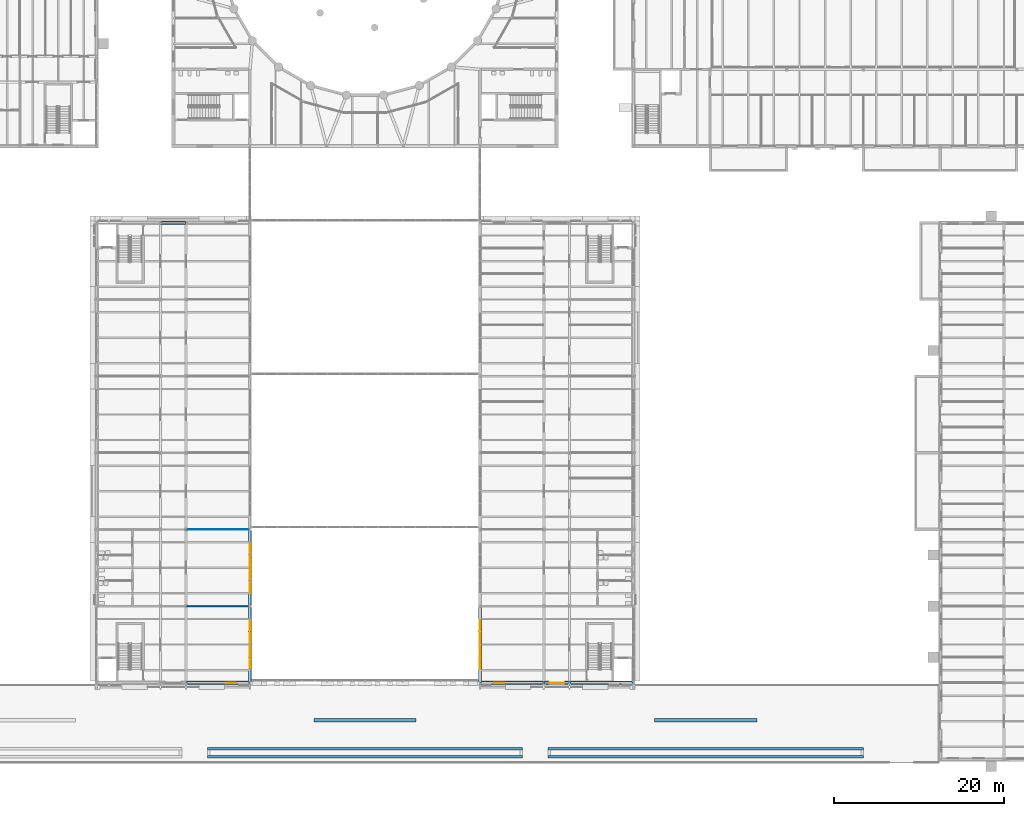
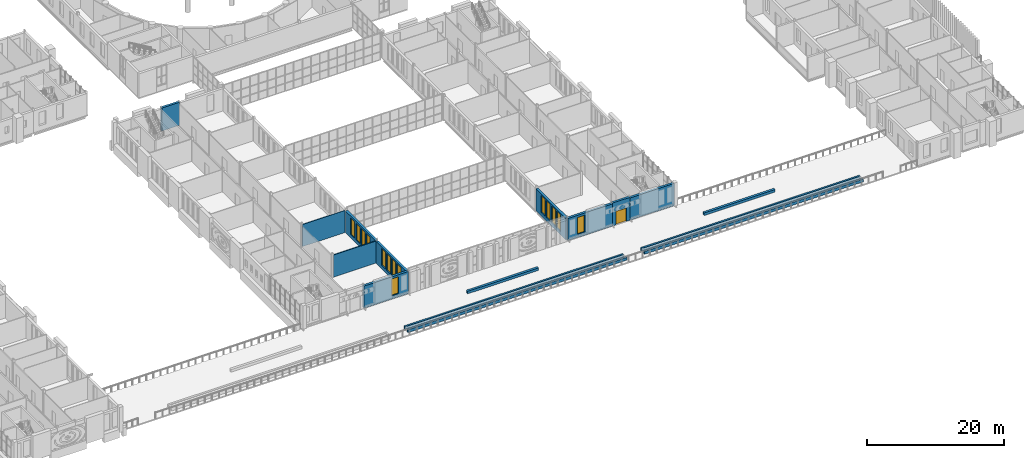
# One storey, part 74 of 134: 16 walls, 14 windows, 1 door, 15 openings.
"""IFC4 building model written with IfcOpenShell, lengths in metres."""

from ifc_helpers import new_model, si_unit, direction, frame, frame_2d, origin, place, context, subcontext, project, spatial, rectangle, extrude, material, layer, layer_set, type_object, element, fill, save


model = new_model("IFC4")

# Units and contexts
model_context = context("Model", 3, precision=1e-05, world=origin(), true_north=direction((0.0, 1.0)))
body_context = subcontext(model_context, "Body", "Model", "MODEL_VIEW")
ifc_project = project(units=[si_unit("LENGTHUNIT", "METRE"), si_unit("AREAUNIT", "SQUARE_METRE"), si_unit("VOLUMEUNIT", "CUBIC_METRE"), si_unit("PLANEANGLEUNIT", "RADIAN"), si_unit("MASSUNIT", "GRAM", prefix="KILO")], contexts=[model_context])

# Site, building, storey
site_placement = place(None, origin())
site = spatial("IfcSite", under=ifc_project, at=site_placement, CompositionType="ELEMENT")
building_placement = place(site_placement, origin())
building = spatial("IfcBuilding", under=site, at=building_placement, Name="Golden Quay Civic Hall", CompositionType="ELEMENT")
storey_placement = place(building_placement, frame((0.0, 0.0, 5.39990234375)))
storey = spatial("IfcBuildingStorey", under=building, at=storey_placement, Name="L01", CompositionType="ELEMENT", Elevation=5.39990234375)

# Walls
ifc_material_1 = material(Name="Brick, dark clay facing", Category="masonry")
ifc_layer_1 = layer(ifc_material_1, 0.300048828125)
ifc_layer_set_1 = layer_set([ifc_layer_1], Name="Brick planter wall 300")
wall_type_1 = type_object("IfcWallType", Name="Brick planter wall 300", PredefinedType="STANDARD", material=ifc_layer_set_1)
for number, where, z_axis, x_axis, name in (
    (1, (67.0, -8.64990234375, 0.0), (0.0, 0.0, 1.0), (1.0, 0.0, 0.0), "Terrace planter 2"),
    (2, (67.0, -7.75, 0.0), (0.0, 0.0, 1.0), (1.0, 0.0, 0.0), "Terrace planter 2"),
    (3, (107.0, -8.64990234375, 0.0), (0.0, 0.0, 1.0), (1.0, 0.0, 0.0), "Terrace planter 3"),
    (4, (107.0, -7.75, 0.0), (0.0, 0.0, 1.0), (1.0, 0.0, 0.0), "Terrace planter 3"),
):
    element("IfcWall", number, at=place(storey_placement, frame(where, z_axis=z_axis, x_axis=x_axis)), inside=storey, type_object=wall_type_1, Name=name, PredefinedType="STANDARD", context=body_context, shape_type="SweptSolid", body=[
        extrude(rectangle(XDim=37.0, YDim=0.300048828125, at=frame_2d((18.5, 0.0))), origin(), (0.0, 0.0, 1.0), 0.5),
    ])
ifc_material_2 = material(Name="Plasterboard on steel studs", Category="steel")
ifc_layer_2 = layer(ifc_material_2, 0.10009765625)
ifc_layer_set_2 = layer_set([ifc_layer_2], Name="Partition 100 stud")
wall_type_2 = type_object("IfcWallType", Name="Partition 100 stud", PredefinedType="PARTITIONING", material=ifc_layer_set_2)
wall_1_placement = place(storey_placement, frame((64.574951171875, 18.0, 0.0), z_axis=(0.0, 0.0, 1.0), x_axis=(1.0, 0.0, 0.0)))
element("IfcWall", 5, at=wall_1_placement, inside=storey, type_object=wall_type_2, Name="Partition L01-005", PredefinedType="PARTITIONING", context=body_context, shape_type="SweptSolid", body=[
    extrude(rectangle(XDim=7.22509765625, YDim=0.10009765625, at=frame_2d((3.612548828125, 0.0))), origin(), (0.0, 0.0, 1.0), 3.9501953125),
])
ifc_material_3 = material(Name="Plasterboard on steel studs", Category="steel")
ifc_layer_3 = layer(ifc_material_3, 0.14990234375)
ifc_layer_set_3 = layer_set([ifc_layer_3], Name="Partition 150 stud fire EI 60")
wall_type_3 = type_object("IfcWallType", Name="Partition 150 stud fire EI 60", PredefinedType="PARTITIONING", material=ifc_layer_set_3)
wall_2_placement = place(storey_placement, frame((64.574951171875, 9.0, 0.0), z_axis=(0.0, 0.0, 1.0), x_axis=(1.0, 0.0, 0.0)))
element("IfcWall", 6, at=wall_2_placement, inside=storey, type_object=wall_type_3, Name="Partition L01-004", PredefinedType="PARTITIONING", context=body_context, shape_type="SweptSolid", body=[
    extrude(rectangle(XDim=7.22509765625, YDim=0.14990234375, at=frame_2d((3.612548828125, 0.0))), origin(), (0.0, 0.0, 1.0), 3.9501953125),
])
ifc_material_4 = material(Name="Clay block, rendered, cream")
ifc_layer_4 = layer(ifc_material_4, 0.39990234375)
ifc_layer_set_4 = layer_set([ifc_layer_4], Name="Rendered block external wall 400")
wall_type_4 = type_object("IfcWallType", Name="Rendered block external wall 400", PredefinedType="STANDARD", material=ifc_layer_set_4)
wall_3_placement = place(storey_placement, frame((61.509033203125, 54.0, 0.0), z_axis=(0.0, 0.0, 1.0), x_axis=(1.0, 0.0, 0.0)))
element("IfcWall", 7, at=wall_3_placement, inside=storey, type_object=wall_type_4, Name="Rendered block external wall 400 L01 25", PredefinedType="STANDARD", context=body_context, shape_type="SweptSolid", body=[
    extrude(rectangle(XDim=2.98193359375, YDim=0.39990234375, at=frame_2d((1.490966796875, 0.0))), origin(), (0.0, 0.0, 1.0), 4.10009765625),
])

# Wall, openings, windows
wall_4_placement = place(storey_placement, frame((72.0, 8.864990234375, 0.0), z_axis=(0.0, 0.0, 1.0), x_axis=(0.0, -1.0, 0.0)))
wall_4 = element("IfcWall", 8, at=wall_4_placement, inside=storey, type_object=wall_type_4, Name="Rendered block external wall 400 L01 27", PredefinedType="STANDARD", context=body_context, shape_type="SweptSolid", body=[
    extrude(rectangle(XDim=8.72998046875, YDim=0.39990234375, at=frame_2d((4.364990234375, 0.0))), origin(), (0.0, 0.0, 1.0), 3.900146484375),
])
opening_1_placement = place(wall_4_placement, frame((6.014892578125, 0.0, 0.60009765625)))
opening_1 = element("IfcOpeningElement", 9, at=opening_1_placement, cuts=wall_4, Name="Opening WN5", PredefinedType="OPENING", context=body_context, shape_type="SweptSolid", body=[
    extrude(rectangle(XDim=1.199951171875, YDim=3.0, at=frame_2d((0.60009765625, 1.5))), frame((0.0, 0.2099609375, 0.0), z_axis=(0.0, -1.0, 0.0), x_axis=(1.0, 0.0, 0.0)), (0.0, 0.0, 1.0), 0.419921875),
])
opening_2_placement = place(wall_4_placement, frame((4.514892578125, 0.0, 0.60009765625)))
opening_2 = element("IfcOpeningElement", 10, at=opening_2_placement, cuts=wall_4, Name="Opening WN5", PredefinedType="OPENING", context=body_context, shape_type="SweptSolid", body=[
    extrude(rectangle(XDim=1.199951171875, YDim=3.0, at=frame_2d((0.60009765625, 1.5))), frame((0.0, 0.2099609375, 0.0), z_axis=(0.0, -1.0, 0.0), x_axis=(1.0, 0.0, 0.0)), (0.0, 0.0, 1.0), 0.419921875),
])
opening_3_placement = place(wall_4_placement, frame((3.014892578125, 0.0, 0.60009765625)))
opening_3 = element("IfcOpeningElement", 11, at=opening_3_placement, cuts=wall_4, Name="Opening WN5", PredefinedType="OPENING", context=body_context, shape_type="SweptSolid", body=[
    extrude(rectangle(XDim=1.199951171875, YDim=3.0, at=frame_2d((0.60009765625, 1.5))), frame((0.0, 0.2099609375, 0.0), z_axis=(0.0, -1.0, 0.0), x_axis=(1.0, 0.0, 0.0)), (0.0, 0.0, 1.0), 0.419921875),
])
opening_4_placement = place(wall_4_placement, frame((1.514892578125, 0.0, 0.60009765625)))
opening_4 = element("IfcOpeningElement", 12, at=opening_4_placement, cuts=wall_4, Name="Opening WN5", PredefinedType="OPENING", context=body_context, shape_type="SweptSolid", body=[
    extrude(rectangle(XDim=1.199951171875, YDim=3.0, at=frame_2d((0.60009765625, 1.5))), frame((0.0, 0.2099609375, 0.0), z_axis=(0.0, -1.0, 0.0), x_axis=(1.0, 0.0, 0.0)), (0.0, 0.0, 1.0), 0.419921875),
])
ifc_material_5 = material(Name="Aluminium frame, double glazed", Category="aluminium")
window_type = type_object("IfcWindowType", Name="Golden grid window 1200 x 3000", PartitioningType="SINGLE_PANEL", PredefinedType="WINDOW", material=ifc_material_5)
window_1_placement = place(opening_1_placement, origin())
window_1 = element("IfcWindow", 13, at=window_1_placement, inside=storey, type_object=window_type, Name="Golden grid window 1200 x 3000 L01 45", OverallHeight=3.0, OverallWidth=1.199951171875, PartitioningType="SINGLE_PANEL", PredefinedType="WINDOW", context=body_context, shape_type="SweptSolid", body=[
    extrude(rectangle(XDim=1.199951171875, YDim=3.0, at=frame_2d((0.60009765625, 1.5))), frame((0.0, 0.030029296875, 0.0), z_axis=(0.0, -1.0, 0.0), x_axis=(1.0, 0.0, 0.0)), (0.0, 0.0, 1.0), 0.06005859375),
])
fill(opening_1, window_1)
window_2_placement = place(opening_2_placement, origin())
window_2 = element("IfcWindow", 14, at=window_2_placement, inside=storey, type_object=window_type, Name="Golden grid window 1200 x 3000 L01 46", OverallHeight=3.0, OverallWidth=1.199951171875, PartitioningType="SINGLE_PANEL", PredefinedType="WINDOW", context=body_context, shape_type="SweptSolid", body=[
    extrude(rectangle(XDim=1.199951171875, YDim=3.0, at=frame_2d((0.60009765625, 1.5))), frame((0.0, 0.030029296875, 0.0), z_axis=(0.0, -1.0, 0.0), x_axis=(1.0, 0.0, 0.0)), (0.0, 0.0, 1.0), 0.06005859375),
])
fill(opening_2, window_2)
window_3_placement = place(opening_3_placement, origin())
window_3 = element("IfcWindow", 15, at=window_3_placement, inside=storey, type_object=window_type, Name="Golden grid window 1200 x 3000 L01 47", OverallHeight=3.0, OverallWidth=1.199951171875, PartitioningType="SINGLE_PANEL", PredefinedType="WINDOW", context=body_context, shape_type="SweptSolid", body=[
    extrude(rectangle(XDim=1.199951171875, YDim=3.0, at=frame_2d((0.60009765625, 1.5))), frame((0.0, 0.030029296875, 0.0), z_axis=(0.0, -1.0, 0.0), x_axis=(1.0, 0.0, 0.0)), (0.0, 0.0, 1.0), 0.06005859375),
])
fill(opening_3, window_3)
window_4_placement = place(opening_4_placement, origin())
window_4 = element("IfcWindow", 16, at=window_4_placement, inside=storey, type_object=window_type, Name="Golden grid window 1200 x 3000 L01 48", OverallHeight=3.0, OverallWidth=1.199951171875, PartitioningType="SINGLE_PANEL", PredefinedType="WINDOW", context=body_context, shape_type="SweptSolid", body=[
    extrude(rectangle(XDim=1.199951171875, YDim=3.0, at=frame_2d((0.60009765625, 1.5))), frame((0.0, 0.030029296875, 0.0), z_axis=(0.0, -1.0, 0.0), x_axis=(1.0, 0.0, 0.0)), (0.0, 0.0, 1.0), 0.06005859375),
])
fill(opening_4, window_4)

wall_5_placement = place(storey_placement, frame((72.0, 17.864990234375, 0.0), z_axis=(0.0, 0.0, 1.0), x_axis=(0.0, -1.0, 0.0)))
wall_5 = element("IfcWall", 17, at=wall_5_placement, inside=storey, type_object=wall_type_4, Name="Rendered block external wall 400 L01 28", PredefinedType="STANDARD", context=body_context, shape_type="SweptSolid", body=[
    extrude(rectangle(XDim=8.72998046875, YDim=0.39990234375, at=frame_2d((4.364990234375, 0.0))), origin(), (0.0, 0.0, 1.0), 3.900146484375),
])
opening_5_placement = place(wall_5_placement, frame((6.014892578125, 0.0, 0.60009765625)))
opening_5 = element("IfcOpeningElement", 18, at=opening_5_placement, cuts=wall_5, Name="Opening WN5", PredefinedType="OPENING", context=body_context, shape_type="SweptSolid", body=[
    extrude(rectangle(XDim=1.199951171875, YDim=3.0, at=frame_2d((0.60009765625, 1.5))), frame((0.0, 0.2099609375, 0.0), z_axis=(0.0, -1.0, 0.0), x_axis=(1.0, 0.0, 0.0)), (0.0, 0.0, 1.0), 0.419921875),
])
opening_6_placement = place(wall_5_placement, frame((4.514892578125, 0.0, 0.60009765625)))
opening_6 = element("IfcOpeningElement", 19, at=opening_6_placement, cuts=wall_5, Name="Opening WN5", PredefinedType="OPENING", context=body_context, shape_type="SweptSolid", body=[
    extrude(rectangle(XDim=1.199951171875, YDim=3.0, at=frame_2d((0.60009765625, 1.5))), frame((0.0, 0.2099609375, 0.0), z_axis=(0.0, -1.0, 0.0), x_axis=(1.0, 0.0, 0.0)), (0.0, 0.0, 1.0), 0.419921875),
])
opening_7_placement = place(wall_5_placement, frame((3.014892578125, 0.0, 0.60009765625)))
opening_7 = element("IfcOpeningElement", 20, at=opening_7_placement, cuts=wall_5, Name="Opening WN5", PredefinedType="OPENING", context=body_context, shape_type="SweptSolid", body=[
    extrude(rectangle(XDim=1.199951171875, YDim=3.0, at=frame_2d((0.60009765625, 1.5))), frame((0.0, 0.2099609375, 0.0), z_axis=(0.0, -1.0, 0.0), x_axis=(1.0, 0.0, 0.0)), (0.0, 0.0, 1.0), 0.419921875),
])
opening_8_placement = place(wall_5_placement, frame((1.514892578125, 0.0, 0.60009765625)))
opening_8 = element("IfcOpeningElement", 21, at=opening_8_placement, cuts=wall_5, Name="Opening WN5", PredefinedType="OPENING", context=body_context, shape_type="SweptSolid", body=[
    extrude(rectangle(XDim=1.199951171875, YDim=3.0, at=frame_2d((0.60009765625, 1.5))), frame((0.0, 0.2099609375, 0.0), z_axis=(0.0, -1.0, 0.0), x_axis=(1.0, 0.0, 0.0)), (0.0, 0.0, 1.0), 0.419921875),
])
window_5_placement = place(opening_5_placement, origin())
window_5 = element("IfcWindow", 22, at=window_5_placement, inside=storey, type_object=window_type, Name="Golden grid window 1200 x 3000 L01 49", OverallHeight=3.0, OverallWidth=1.199951171875, PartitioningType="SINGLE_PANEL", PredefinedType="WINDOW", context=body_context, shape_type="SweptSolid", body=[
    extrude(rectangle(XDim=1.199951171875, YDim=3.0, at=frame_2d((0.60009765625, 1.5))), frame((0.0, 0.030029296875, 0.0), z_axis=(0.0, -1.0, 0.0), x_axis=(1.0, 0.0, 0.0)), (0.0, 0.0, 1.0), 0.06005859375),
])
fill(opening_5, window_5)
window_6_placement = place(opening_6_placement, origin())
window_6 = element("IfcWindow", 23, at=window_6_placement, inside=storey, type_object=window_type, Name="Golden grid window 1200 x 3000 L01 50", OverallHeight=3.0, OverallWidth=1.199951171875, PartitioningType="SINGLE_PANEL", PredefinedType="WINDOW", context=body_context, shape_type="SweptSolid", body=[
    extrude(rectangle(XDim=1.199951171875, YDim=3.0, at=frame_2d((0.60009765625, 1.5))), frame((0.0, 0.030029296875, 0.0), z_axis=(0.0, -1.0, 0.0), x_axis=(1.0, 0.0, 0.0)), (0.0, 0.0, 1.0), 0.06005859375),
])
fill(opening_6, window_6)
window_7_placement = place(opening_7_placement, origin())
window_7 = element("IfcWindow", 24, at=window_7_placement, inside=storey, type_object=window_type, Name="Golden grid window 1200 x 3000 L01 51", OverallHeight=3.0, OverallWidth=1.199951171875, PartitioningType="SINGLE_PANEL", PredefinedType="WINDOW", context=body_context, shape_type="SweptSolid", body=[
    extrude(rectangle(XDim=1.199951171875, YDim=3.0, at=frame_2d((0.60009765625, 1.5))), frame((0.0, 0.030029296875, 0.0), z_axis=(0.0, -1.0, 0.0), x_axis=(1.0, 0.0, 0.0)), (0.0, 0.0, 1.0), 0.06005859375),
])
fill(opening_7, window_7)
window_8_placement = place(opening_8_placement, origin())
window_8 = element("IfcWindow", 25, at=window_8_placement, inside=storey, type_object=window_type, Name="Golden grid window 1200 x 3000 L01 52", OverallHeight=3.0, OverallWidth=1.199951171875, PartitioningType="SINGLE_PANEL", PredefinedType="WINDOW", context=body_context, shape_type="SweptSolid", body=[
    extrude(rectangle(XDim=1.199951171875, YDim=3.0, at=frame_2d((0.60009765625, 1.5))), frame((0.0, 0.030029296875, 0.0), z_axis=(0.0, -1.0, 0.0), x_axis=(1.0, 0.0, 0.0)), (0.0, 0.0, 1.0), 0.06005859375),
])
fill(opening_8, window_8)

# Wall, opening, window
wall_6_placement = place(storey_placement, frame((71.990966796875, 0.0, 0.0), z_axis=(0.0, 0.0, 1.0), x_axis=(-1.0, 0.0, 0.0)))
wall_6 = element("IfcWall", 26, at=wall_6_placement, inside=storey, type_object=wall_type_4, Name="Rendered block external wall 400 L01 34", PredefinedType="STANDARD", context=body_context, shape_type="SweptSolid", body=[
    extrude(rectangle(XDim=7.48193359375, YDim=0.39990234375, at=frame_2d((3.740966796875, 0.0))), origin(), (0.0, 0.0, 1.0), 3.97021484375),
])
opening_9_placement = place(wall_6_placement, frame((1.64111328125, 0.0, 0.60009765625)))
opening_9 = element("IfcOpeningElement", 27, at=opening_9_placement, cuts=wall_6, Name="Opening WN5", PredefinedType="OPENING", context=body_context, shape_type="SweptSolid", body=[
    extrude(rectangle(XDim=1.199951171875, YDim=3.0, at=frame_2d((0.60009765625, 1.5))), frame((0.0, 0.2099609375, 0.0), z_axis=(0.0, -1.0, 0.0), x_axis=(1.0, 0.0, 0.0)), (0.0, 0.0, 1.0), 0.419921875),
])
window_9_placement = place(opening_9_placement, origin())
window_9 = element("IfcWindow", 28, at=window_9_placement, inside=storey, type_object=window_type, Name="Golden grid window 1200 x 3000 L01 69", OverallHeight=3.0, OverallWidth=1.199951171875, PartitioningType="SINGLE_PANEL", PredefinedType="WINDOW", context=body_context, shape_type="SweptSolid", body=[
    extrude(rectangle(XDim=1.199951171875, YDim=3.0, at=frame_2d((0.60009765625, 1.5))), frame((0.0, 0.030029296875, 0.0), z_axis=(0.0, -1.0, 0.0), x_axis=(1.0, 0.0, 0.0)), (0.0, 0.0, 1.0), 0.06005859375),
])
fill(opening_9, window_9)

# Wall, openings, windows
wall_7_placement = place(storey_placement, frame((99.0, 0.135009765625, 0.0), z_axis=(0.0, 0.0, 1.0), x_axis=(0.0, 1.0, 0.0)))
wall_7 = element("IfcWall", 29, at=wall_7_placement, inside=storey, type_object=wall_type_4, Name="Rendered block external wall 400 L01 35", PredefinedType="STANDARD", context=body_context, shape_type="SweptSolid", body=[
    extrude(rectangle(XDim=8.72998046875, YDim=0.39990234375, at=frame_2d((4.364990234375, 0.0))), origin(), (0.0, 0.0, 1.0), 3.900146484375),
])
opening_10_placement = place(wall_7_placement, frame((1.514892578125, 0.0, 0.60009765625)))
opening_10 = element("IfcOpeningElement", 30, at=opening_10_placement, cuts=wall_7, Name="Opening WN5", PredefinedType="OPENING", context=body_context, shape_type="SweptSolid", body=[
    extrude(rectangle(XDim=1.199951171875, YDim=3.0, at=frame_2d((0.60009765625, 1.5))), frame((0.0, 0.2099609375, 0.0), z_axis=(0.0, -1.0, 0.0), x_axis=(1.0, 0.0, 0.0)), (0.0, 0.0, 1.0), 0.419921875),
])
opening_11_placement = place(wall_7_placement, frame((3.014892578125, 0.0, 0.60009765625)))
opening_11 = element("IfcOpeningElement", 31, at=opening_11_placement, cuts=wall_7, Name="Opening WN5", PredefinedType="OPENING", context=body_context, shape_type="SweptSolid", body=[
    extrude(rectangle(XDim=1.199951171875, YDim=3.0, at=frame_2d((0.60009765625, 1.5))), frame((0.0, 0.2099609375, 0.0), z_axis=(0.0, -1.0, 0.0), x_axis=(1.0, 0.0, 0.0)), (0.0, 0.0, 1.0), 0.419921875),
])
opening_12_placement = place(wall_7_placement, frame((4.514892578125, 0.0, 0.60009765625)))
opening_12 = element("IfcOpeningElement", 32, at=opening_12_placement, cuts=wall_7, Name="Opening WN5", PredefinedType="OPENING", context=body_context, shape_type="SweptSolid", body=[
    extrude(rectangle(XDim=1.199951171875, YDim=3.0, at=frame_2d((0.60009765625, 1.5))), frame((0.0, 0.2099609375, 0.0), z_axis=(0.0, -1.0, 0.0), x_axis=(1.0, 0.0, 0.0)), (0.0, 0.0, 1.0), 0.419921875),
])
opening_13_placement = place(wall_7_placement, frame((6.014892578125, 0.0, 0.60009765625)))
opening_13 = element("IfcOpeningElement", 33, at=opening_13_placement, cuts=wall_7, Name="Opening WN5", PredefinedType="OPENING", context=body_context, shape_type="SweptSolid", body=[
    extrude(rectangle(XDim=1.199951171875, YDim=3.0, at=frame_2d((0.60009765625, 1.5))), frame((0.0, 0.2099609375, 0.0), z_axis=(0.0, -1.0, 0.0), x_axis=(1.0, 0.0, 0.0)), (0.0, 0.0, 1.0), 0.419921875),
])
window_10_placement = place(opening_10_placement, origin())
window_10 = element("IfcWindow", 34, at=window_10_placement, inside=storey, type_object=window_type, Name="Golden grid window 1200 x 3000 L01 70", OverallHeight=3.0, OverallWidth=1.199951171875, PartitioningType="SINGLE_PANEL", PredefinedType="WINDOW", context=body_context, shape_type="SweptSolid", body=[
    extrude(rectangle(XDim=1.199951171875, YDim=3.0, at=frame_2d((0.60009765625, 1.5))), frame((0.0, 0.030029296875, 0.0), z_axis=(0.0, -1.0, 0.0), x_axis=(1.0, 0.0, 0.0)), (0.0, 0.0, 1.0), 0.06005859375),
])
fill(opening_10, window_10)
window_11_placement = place(opening_11_placement, origin())
window_11 = element("IfcWindow", 35, at=window_11_placement, inside=storey, type_object=window_type, Name="Golden grid window 1200 x 3000 L01 71", OverallHeight=3.0, OverallWidth=1.199951171875, PartitioningType="SINGLE_PANEL", PredefinedType="WINDOW", context=body_context, shape_type="SweptSolid", body=[
    extrude(rectangle(XDim=1.199951171875, YDim=3.0, at=frame_2d((0.60009765625, 1.5))), frame((0.0, 0.030029296875, 0.0), z_axis=(0.0, -1.0, 0.0), x_axis=(1.0, 0.0, 0.0)), (0.0, 0.0, 1.0), 0.06005859375),
])
fill(opening_11, window_11)
window_12_placement = place(opening_12_placement, origin())
window_12 = element("IfcWindow", 36, at=window_12_placement, inside=storey, type_object=window_type, Name="Golden grid window 1200 x 3000 L01 72", OverallHeight=3.0, OverallWidth=1.199951171875, PartitioningType="SINGLE_PANEL", PredefinedType="WINDOW", context=body_context, shape_type="SweptSolid", body=[
    extrude(rectangle(XDim=1.199951171875, YDim=3.0, at=frame_2d((0.60009765625, 1.5))), frame((0.0, 0.030029296875, 0.0), z_axis=(0.0, -1.0, 0.0), x_axis=(1.0, 0.0, 0.0)), (0.0, 0.0, 1.0), 0.06005859375),
])
fill(opening_12, window_12)
window_13_placement = place(opening_13_placement, origin())
window_13 = element("IfcWindow", 37, at=window_13_placement, inside=storey, type_object=window_type, Name="Golden grid window 1200 x 3000 L01 73", OverallHeight=3.0, OverallWidth=1.199951171875, PartitioningType="SINGLE_PANEL", PredefinedType="WINDOW", context=body_context, shape_type="SweptSolid", body=[
    extrude(rectangle(XDim=1.199951171875, YDim=3.0, at=frame_2d((0.60009765625, 1.5))), frame((0.0, 0.030029296875, 0.0), z_axis=(0.0, -1.0, 0.0), x_axis=(1.0, 0.0, 0.0)), (0.0, 0.0, 1.0), 0.06005859375),
])
fill(opening_13, window_13)

# Wall, opening, window
wall_8_placement = place(storey_placement, frame((106.490966796875, 0.0, 0.0), z_axis=(0.0, 0.0, 1.0), x_axis=(-1.0, 0.0, 0.0)))
wall_8 = element("IfcWall", 38, at=wall_8_placement, inside=storey, type_object=wall_type_4, Name="Rendered block external wall 400 L01 47", PredefinedType="STANDARD", context=body_context, shape_type="SweptSolid", body=[
    extrude(rectangle(XDim=7.48193359375, YDim=0.39990234375, at=frame_2d((3.740966796875, 0.0))), origin(), (0.0, 0.0, 1.0), 3.97021484375),
])
opening_14_placement = place(wall_8_placement, frame((4.64111328125, 0.0, 0.60009765625)))
opening_14 = element("IfcOpeningElement", 39, at=opening_14_placement, cuts=wall_8, Name="Opening WN5", PredefinedType="OPENING", context=body_context, shape_type="SweptSolid", body=[
    extrude(rectangle(XDim=1.199951171875, YDim=3.0, at=frame_2d((0.60009765625, 1.5))), frame((0.0, 0.2099609375, 0.0), z_axis=(0.0, -1.0, 0.0), x_axis=(1.0, 0.0, 0.0)), (0.0, 0.0, 1.0), 0.419921875),
])
window_14_placement = place(opening_14_placement, origin())
window_14 = element("IfcWindow", 40, at=window_14_placement, inside=storey, type_object=window_type, Name="Golden grid window 1200 x 3000 L01 106", OverallHeight=3.0, OverallWidth=1.199951171875, PartitioningType="SINGLE_PANEL", PredefinedType="WINDOW", context=body_context, shape_type="SweptSolid", body=[
    extrude(rectangle(XDim=1.199951171875, YDim=3.0, at=frame_2d((0.60009765625, 1.5))), frame((0.0, 0.030029296875, 0.0), z_axis=(0.0, -1.0, 0.0), x_axis=(1.0, 0.0, 0.0)), (0.0, 0.0, 1.0), 0.06005859375),
])
fill(opening_14, window_14)

# Wall, opening, door
wall_9_placement = place(storey_placement, frame((109.490966796875, 0.0, 0.0), z_axis=(0.0, 0.0, 1.0), x_axis=(-1.0, 0.0, 0.0)))
wall_9 = element("IfcWall", 41, at=wall_9_placement, inside=storey, type_object=wall_type_4, Name="Rendered block external wall 400 L01 48", PredefinedType="STANDARD", context=body_context, shape_type="SweptSolid", body=[
    extrude(rectangle(XDim=2.98193359375, YDim=0.39990234375, at=frame_2d((1.490966796875, 0.0))), origin(), (0.0, 0.0, 1.0), 4.10009765625),
])
opening_15_placement = place(wall_9_placement, frame((0.591064453125, 0.0, 0.0)))
opening_15 = element("IfcOpeningElement", 42, at=opening_15_placement, cuts=wall_9, Name="Opening L01-D006", PredefinedType="OPENING", context=body_context, shape_type="SweptSolid", body=[
    extrude(rectangle(XDim=1.800048828125, YDim=2.39990234375, at=frame_2d((0.89990234375, 1.199951171875))), frame((0.0, 0.2099609375, 0.0), z_axis=(0.0, -1.0, 0.0), x_axis=(1.0, 0.0, 0.0)), (0.0, 0.0, 1.0), 0.419921875),
])
ifc_material_6 = material(Name="Aluminium frame, glazed", Category="aluminium")
door_type = type_object("IfcDoorType", Name="Glazed double terrace door 1800 x 2400", OperationType="DOUBLE_DOOR_SINGLE_SWING", PredefinedType="DOOR", material=ifc_material_6)
door_placement = place(opening_15_placement, origin())
door = element("IfcDoor", 43, at=door_placement, inside=storey, type_object=door_type, Name="Door L01-D006", OperationType="DOUBLE_DOOR_SINGLE_SWING", OverallHeight=2.39990234375, OverallWidth=1.800048828125, PredefinedType="DOOR", context=body_context, shape_type="SweptSolid", body=[
    extrude(rectangle(XDim=1.800048828125, YDim=2.39990234375, at=frame_2d((0.89990234375, 1.199951171875))), frame((0.0, 0.02490234375, 0.0), z_axis=(0.0, -1.0, 0.0), x_axis=(1.0, 0.0, 0.0)), (0.0, 0.0, 1.0), 0.050048828125),
])
fill(opening_15, door)

# Walls
ifc_material_7 = material(Name="Clay block, rendered, cream")
ifc_layer_5 = layer(ifc_material_7, 0.39990234375)
ifc_layer_set_5 = layer_set([ifc_layer_5], Name="Rendered block external wall 400 fire EI 60")
wall_type_5 = type_object("IfcWallType", Name="Rendered block external wall 400 fire EI 60", PredefinedType="STANDARD", material=ifc_layer_set_5)
wall_10_placement = place(storey_placement, frame((116.990966796875, 0.0, 0.0), z_axis=(0.0, 0.0, 1.0), x_axis=(-1.0, 0.0, 0.0)))
element("IfcWall", 44, at=wall_10_placement, inside=storey, type_object=wall_type_5, Name="Rendered block external wall 400 fire EI 60 L01 9", PredefinedType="STANDARD", context=body_context, shape_type="SweptSolid", body=[
    extrude(rectangle(XDim=7.48193359375, YDim=0.39990234375, at=frame_2d((3.740966796875, 0.0))), origin(), (0.0, 0.0, 1.0), 3.97021484375),
])
ifc_material_8 = material(Name="Granite", Category="masonry")
ifc_layer_6 = layer(ifc_material_8, 0.39990234375)
ifc_layer_set_6 = layer_set([ifc_layer_6], Name="Stone basin and seat wall 400")
wall_type_6 = type_object("IfcWallType", Name="Stone basin and seat wall 400", PredefinedType="STANDARD", material=ifc_layer_set_6)
for number, where, z_axis, x_axis, name in (
    (45, (79.5, -4.39990234375, 0.0), (0.0, 0.0, 1.0), (1.0, 0.0, 0.0), "Terrace seat 2"),
    (46, (119.5, -4.39990234375, 0.0), (0.0, 0.0, 1.0), (1.0, 0.0, 0.0), "Terrace seat 3"),
):
    element("IfcWall", number, at=place(storey_placement, frame(where, z_axis=z_axis, x_axis=x_axis)), inside=storey, type_object=wall_type_6, Name=name, PredefinedType="STANDARD", context=body_context, shape_type="SweptSolid", body=[
        extrude(rectangle(XDim=12.0, YDim=0.39990234375, at=frame_2d((6.0, 0.0))), origin(), (0.0, 0.0, 1.0), 0.4501953125),
    ])

save(model, "model.ifc")
